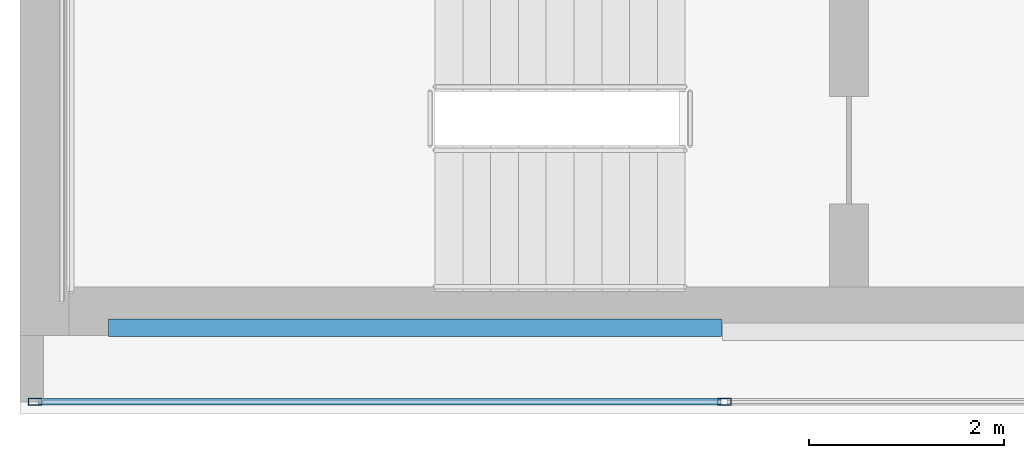
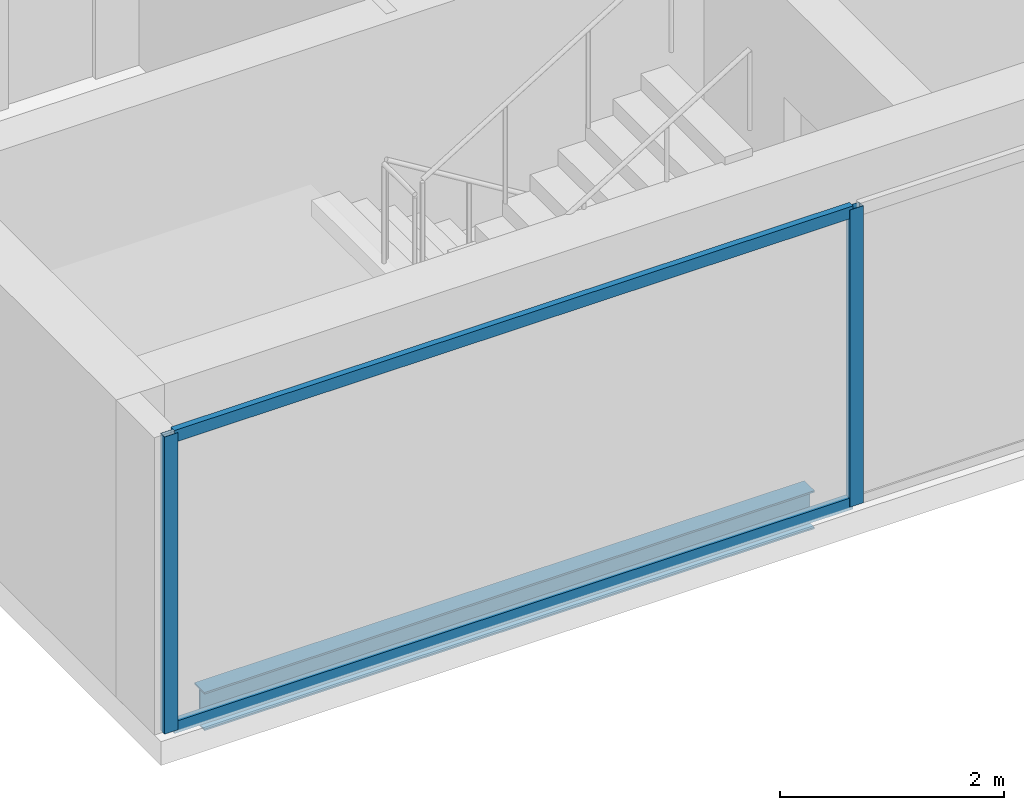
# One storey, part 2 of 24: 4 members, 1 beam, 1 element without a shape of its own.
"""IFC4 building model written with IfcOpenShell, lengths in metres."""

from ifc_helpers import new_model, si_unit, direction, frame, origin, origin_2d, place, context, subcontext, project, spatial, hollow_rectangle, i_section, extrude, material, material_profile, profile_set, type_object, element, aggregate, save


model = new_model("IFC4")

# Units and contexts
model_context = context("Model", 3, precision=1e-05, world=origin(), true_north=direction((0.0, 1.0)))
body_context = subcontext(model_context, "Body", "Model", "MODEL_VIEW")
ifc_project = project(units=[si_unit("LENGTHUNIT", "METRE"), si_unit("AREAUNIT", "SQUARE_METRE"), si_unit("VOLUMEUNIT", "CUBIC_METRE"), si_unit("PLANEANGLEUNIT", "RADIAN"), si_unit("MASSUNIT", "GRAM", prefix="KILO")], contexts=[model_context])

# Site, building, storey
site_placement = place(None, origin())
site = spatial("IfcSite", under=ifc_project, at=site_placement, CompositionType="ELEMENT")
building_placement = place(site_placement, origin())
building = spatial("IfcBuilding", under=site, at=building_placement, Name="Cobrela Telecom Tower", CompositionType="ELEMENT")
storey_placement = place(building_placement, frame((0.0, 0.0, 241.14990234375)))
storey = spatial("IfcBuildingStorey", under=building, at=storey_placement, Name="L62", CompositionType="ELEMENT", Elevation=241.14990234375)

# Beam
ifc_material_1 = material(Name="Steel ASTM A992 Grade 50", Category="steel")
ifc_material_profile_1 = material_profile(ifc_material_1, i_section(OverallWidth=0.179931640625, OverallDepth=0.4169921875, WebThickness=0.010986328125, FlangeThickness=0.01806640625, FilletRadius=0.011962890625, at=origin_2d()), Name="W16X57")
ifc_profile_set_1 = profile_set([ifc_material_profile_1], Name="Steel ASTM A992 Grade 50")
beam_type = type_object("IfcBeamType", Name="BM-SPAND-06", PredefinedType="SPANDREL", material=ifc_profile_set_1)
beam_placement = place(storey_placement, frame((0.905029296875, 7.280029296875, -0.468505859375), z_axis=(1.0, 0.0, 0.0), x_axis=(0.0, 1.0, 0.0)))
element("IfcBeam", 1, at=beam_placement, inside=storey, type_object=beam_type, Name="L62 Perimeter Spandrel X01", PredefinedType="SPANDREL", context=body_context, shape_type="SweptSolid", body=[
    extrude(i_section(OverallWidth=0.179931640625, OverallDepth=0.4169921875, WebThickness=0.010986328125, FlangeThickness=0.01806640625, FilletRadius=0.011962890625, at=origin_2d()), origin(), (0.0, 0.0, 1.0), 6.2900390625),
])

# Curtain wall, members
ifc_material_2 = material(Name="Anodized Bronze Aluminium 6063-T6", Category="aluminium")
curtain_wall_type = type_object("IfcCurtainWallType", Name="CW-SYS-OFF-HI", PredefinedType="USERDEFINED", material=ifc_material_2)
curtain_wall_placement = place(storey_placement, origin())
curtain_wall = element("IfcCurtainWall", 2, at=curtain_wall_placement, inside=storey, type_object=curtain_wall_type, Name="L62 Unitised Bronze Curtain Wall 15", ObjectType="UNITISED CURTAIN WALL", PredefinedType="USERDEFINED")
ifc_material_profile_2 = material_profile(ifc_material_2, hollow_rectangle(XDim=0.070068359375, YDim=0.139892578125, WallThickness=0.00390625, at=origin_2d()), Name="ALU 70x140x4")
ifc_profile_set_2 = profile_set([ifc_material_profile_2], Name="Anodized Bronze Aluminium 6063-T6")
member_type_1 = type_object("IfcMemberType", Name="CW-SYS-OFF-HI-MUL", PredefinedType="MULLION", material=ifc_profile_set_2)
member_1_placement = place(storey_placement, frame((7.2216796875, 6.52001953125, 0.0), z_axis=(0.0, 0.0, 1.0), x_axis=(0.0, -1.0, 0.0)))
member_1 = element("IfcMember", 3, at=member_1_placement, type_object=member_type_1, Name="CW-OFF-HI mullion 6", PredefinedType="MULLION", context=body_context, shape_type="SweptSolid", body=[
    extrude(hollow_rectangle(XDim=0.070068359375, YDim=0.139892578125, WallThickness=0.00390625, at=origin_2d()), origin(), (0.0, 0.0, 1.0), 3.239990234375),
])
member_2_placement = place(storey_placement, frame((0.155029296875, 6.52001953125, 0.0), z_axis=(0.0, 0.0, 1.0), x_axis=(0.0, -1.0, 0.0)))
member_2 = element("IfcMember", 4, at=member_2_placement, type_object=member_type_1, Name="CW-OFF-HI mullion 7", PredefinedType="MULLION", context=body_context, shape_type="SweptSolid", body=[
    extrude(hollow_rectangle(XDim=0.070068359375, YDim=0.139892578125, WallThickness=0.00390625, at=origin_2d()), origin(), (0.0, 0.0, 1.0), 3.239990234375),
])
ifc_material_profile_3 = material_profile(ifc_material_2, hollow_rectangle(XDim=0.06494140625, YDim=0.1298828125, WallThickness=0.00390625, at=origin_2d()), Name="ALU 65x130x4")
ifc_profile_set_3 = profile_set([ifc_material_profile_3], Name="Anodized Bronze Aluminium 6063-T6")
member_type_2 = type_object("IfcMemberType", Name="CW-SYS-OFF-HI-TRN", PredefinedType="USERDEFINED", material=ifc_profile_set_3)
member_3_placement = place(storey_placement, frame((7.186767578125, 6.52001953125, 0.03271484375), z_axis=(-1.0, 0.0, 0.0), x_axis=(0.0, -1.0, 0.0)))
member_3 = element("IfcMember", 5, at=member_3_placement, type_object=member_type_2, Name="CW-OFF-HI transom 6.1", ObjectType="TRANSOM", PredefinedType="USERDEFINED", context=body_context, shape_type="SweptSolid", body=[
    extrude(hollow_rectangle(XDim=0.06494140625, YDim=0.1298828125, WallThickness=0.00390625, at=origin_2d()), origin(), (0.0, 0.0, 1.0), 6.996826171875),
])
member_4_placement = place(storey_placement, frame((7.186767578125, 6.52001953125, 3.20751953125), z_axis=(-1.0, 0.0, 0.0), x_axis=(0.0, -1.0, 0.0)))
member_4 = element("IfcMember", 6, at=member_4_placement, type_object=member_type_2, Name="CW-OFF-HI transom 6.2", ObjectType="TRANSOM", PredefinedType="USERDEFINED", context=body_context, shape_type="SweptSolid", body=[
    extrude(hollow_rectangle(XDim=0.06494140625, YDim=0.1298828125, WallThickness=0.00390625, at=origin_2d()), origin(), (0.0, 0.0, 1.0), 6.996826171875),
])
aggregate(curtain_wall, [member_1, member_2, member_3, member_4])

save(model, "model.ifc")
